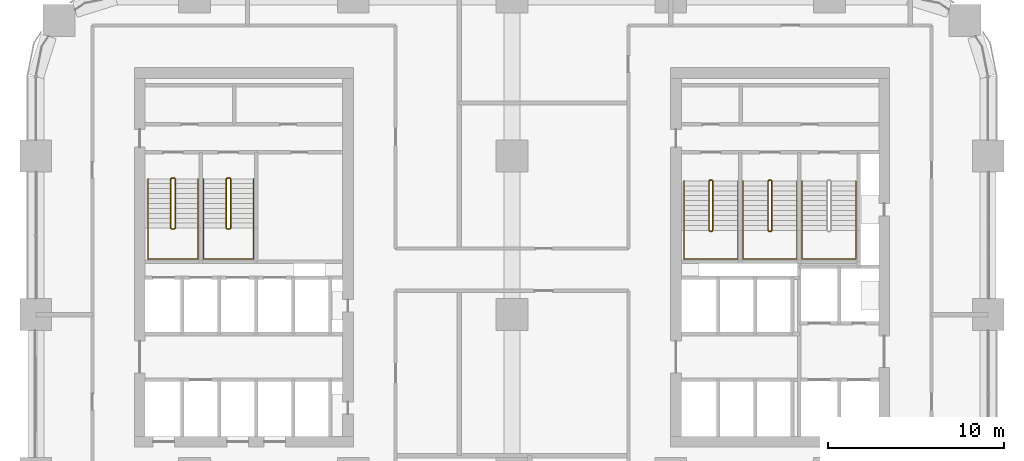
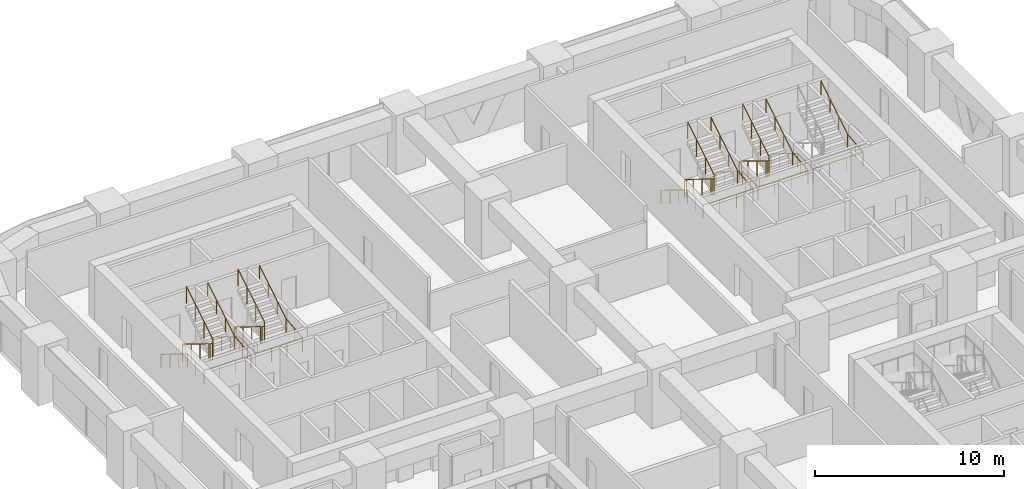
# One storey, part 23 of 24: 9 railings.
"""IFC4 building model written with IfcOpenShell, lengths in metres."""

from ifc_helpers import new_model, si_unit, direction, frame, origin, origin_2d, place, context, subcontext, project, spatial, circle, extrude, material, type_object, element, save


model = new_model("IFC4")

# Units and contexts
model_context = context("Model", 3, precision=1e-05, world=origin(), true_north=direction((0.0, 1.0)))
body_context = subcontext(model_context, "Body", "Model", "MODEL_VIEW")
ifc_project = project(units=[si_unit("LENGTHUNIT", "METRE"), si_unit("AREAUNIT", "SQUARE_METRE"), si_unit("VOLUMEUNIT", "CUBIC_METRE"), si_unit("PLANEANGLEUNIT", "RADIAN"), si_unit("MASSUNIT", "GRAM", prefix="KILO")], contexts=[model_context])

# Site, building, storey
site_placement = place(None, origin())
site = spatial("IfcSite", under=ifc_project, at=site_placement, CompositionType="ELEMENT")
building_placement = place(site_placement, origin())
building = spatial("IfcBuilding", under=site, at=building_placement, Name="Tessera Arch", CompositionType="ELEMENT")
storey_placement = place(building_placement, frame((0.0, 0.0, 38.60009765625)))
storey = spatial("IfcBuildingStorey", under=building, at=storey_placement, Name="L07", CompositionType="ELEMENT", Elevation=38.60009765625)

# Railings
ifc_material_1 = material(Name="Painted steel balustrade", Category="steel")
railing_type_1 = type_object("IfcRailingType", Name="Stair guard 1100", PredefinedType="GUARDRAIL", material=ifc_material_1)
railing_1_placement = place(storey_placement, frame((38.219970703125, 43.6298828125, 0.0)))
element("IfcRailing", 1, at=railing_1_placement, inside=storey, type_object=railing_type_1, Name="L07 S1a stair guard 1", PredefinedType="GUARDRAIL", context=body_context, shape_type="SweptSolid", body=[
    extrude(circle(Radius=0.02392578125, at=origin_2d()), frame((-0.00390625, 0.0, 1.076171875), z_axis=(1.0, 0.0, 0.0), x_axis=(0.0, 1.0, 0.0)), (0.0, 0.0, 1.0), 0.1181640625),
    extrude(circle(Radius=0.02392578125, at=origin_2d()), frame((0.11279296875, 0.000732421875, 1.0732421875), z_axis=(-0.665449600336, -0.206938595226, 0.717184249143), x_axis=(0.296948579431, -0.954893471113, 0.0)), (0.0, 0.0, 1.0), 0.248779296875),
    extrude(circle(Radius=0.02392578125, at=origin_2d()), frame((-0.050048828125, -0.04638671875, 1.24658203125), z_axis=(0.0, -0.851089632645, 0.525020415988), x_axis=(1.0, 0.0, 0.0)), (0.0, 0.0, 1.0), 3.2978515625),
    extrude(circle(Radius=0.02392578125, at=origin_2d()), frame((-0.052978515625, -2.846923828125, 2.97607421875), z_axis=(0.707106781187, -0.707106781187, 0.0), x_axis=(0.707106781187, 0.707106781187, 0.0)), (0.0, 0.0, 1.0), 0.078857421875),
    extrude(circle(Radius=0.02392578125, at=origin_2d()), frame((-0.00390625, -2.89990234375, 2.97607421875), z_axis=(1.0, 0.0, 0.0), x_axis=(0.0, 1.0, 0.0)), (0.0, 0.0, 1.0), 0.1181640625),
    extrude(circle(Radius=0.02392578125, at=origin_2d()), frame((0.109130859375, -2.90087890625, 2.97216796875), z_axis=(0.267062837333, 0.268371968888, 0.925556009775), x_axis=(-0.708833529934, 0.705375805398, 0.0)), (0.0, 0.0, 1.0), 0.194580078125),
    extrude(circle(Radius=0.02392578125, at=origin_2d()), frame((0.159912109375, -2.853271484375, 3.146484375), z_axis=(0.0, 0.851089632645, 0.525020415988), x_axis=(-1.0, 0.0, 0.0)), (0.0, 0.0, 1.0), 3.2978515625),
    extrude(circle(Radius=0.02099609375, at=origin_2d()), origin(), (0.0, 0.0, 1.0), 1.06396484375),
    extrude(circle(Radius=0.02099609375, at=origin_2d()), frame((0.110107421875, 0.0, 0.0)), (0.0, 0.0, 1.0), 1.06396484375),
    extrude(circle(Radius=0.02099609375, at=origin_2d()), frame((-0.050048828125, -0.0498046875, 0.172607421875)), (0.0, 0.0, 1.0), 1.06396484375),
    extrude(circle(Radius=0.02099609375, at=origin_2d()), frame((-0.050048828125, -0.983154296875, 0.748291015625)), (0.0, 0.0, 1.0), 1.06396484375),
    extrude(circle(Radius=0.02099609375, at=origin_2d()), frame((-0.050048828125, -1.91650390625, 1.32421875)), (0.0, 0.0, 1.0), 1.06396484375),
    extrude(circle(Radius=0.02099609375, at=origin_2d()), frame((-0.050048828125, -2.849853515625, 1.89990234375)), (0.0, 0.0, 1.0), 1.06396484375),
    extrude(circle(Radius=0.02099609375, at=origin_2d()), frame((0.0, -2.89990234375, 1.89990234375)), (0.0, 0.0, 1.0), 1.06396484375),
    extrude(circle(Radius=0.02099609375, at=origin_2d()), frame((0.110107421875, -2.89990234375, 1.89990234375)), (0.0, 0.0, 1.0), 1.06396484375),
    extrude(circle(Radius=0.02099609375, at=origin_2d()), frame((0.159912109375, -2.849853515625, 2.072509765625)), (0.0, 0.0, 1.0), 1.06396484375),
    extrude(circle(Radius=0.02099609375, at=origin_2d()), frame((0.159912109375, -1.91650390625, 2.648193359375)), (0.0, 0.0, 1.0), 1.06396484375),
    extrude(circle(Radius=0.02099609375, at=origin_2d()), frame((0.159912109375, -0.983154296875, 3.22412109375)), (0.0, 0.0, 1.0), 1.06396484375),
    extrude(circle(Radius=0.02099609375, at=origin_2d()), frame((0.159912109375, -0.0498046875, 3.7998046875)), (0.0, 0.0, 1.0), 1.06396484375),
])
railing_2_placement = place(storey_placement, frame((41.570068359375, 43.6298828125, 0.0)))
element("IfcRailing", 2, at=railing_2_placement, inside=storey, type_object=railing_type_1, Name="L07 S1b stair guard 1", PredefinedType="GUARDRAIL", context=body_context, shape_type="SweptSolid", body=[
    extrude(circle(Radius=0.02392578125, at=origin_2d()), frame((-0.00390625, 0.0, 1.076171875), z_axis=(1.0, 0.0, 0.0), x_axis=(0.0, 1.0, 0.0)), (0.0, 0.0, 1.0), 0.117919921875),
    extrude(circle(Radius=0.02392578125, at=origin_2d()), frame((0.112548828125, 0.000732421875, 1.0732421875), z_axis=(-0.664883824791, -0.207078321004, 0.717668494851), x_axis=(0.297361876254, -0.954764847777, 0.0)), (0.0, 0.0, 1.0), 0.24853515625),
    extrude(circle(Radius=0.02392578125, at=origin_2d()), frame((-0.050048828125, -0.04638671875, 1.24658203125), z_axis=(0.0, -0.851089632645, 0.525020415988), x_axis=(1.0, 0.0, 0.0)), (0.0, 0.0, 1.0), 3.2978515625),
    extrude(circle(Radius=0.02392578125, at=origin_2d()), frame((-0.052978515625, -2.846923828125, 2.97607421875), z_axis=(0.707106781187, -0.707106781187, 0.0), x_axis=(0.707106781187, 0.707106781187, 0.0)), (0.0, 0.0, 1.0), 0.078857421875),
    extrude(circle(Radius=0.02392578125, at=origin_2d()), frame((-0.00390625, -2.89990234375, 2.97607421875), z_axis=(1.0, 0.0, 0.0), x_axis=(0.0, 1.0, 0.0)), (0.0, 0.0, 1.0), 0.117919921875),
    extrude(circle(Radius=0.02392578125, at=origin_2d()), frame((0.10888671875, -2.90087890625, 2.97216796875), z_axis=(0.268277960024, 0.268277960024, 0.925231793839), x_axis=(-0.707106781187, 0.707106781187, 0.0)), (0.0, 0.0, 1.0), 0.194580078125),
    extrude(circle(Radius=0.02392578125, at=origin_2d()), frame((0.159912109375, -2.853271484375, 3.146484375), z_axis=(0.0, 0.851089632645, 0.525020415988), x_axis=(-1.0, 0.0, 0.0)), (0.0, 0.0, 1.0), 3.2978515625),
    extrude(circle(Radius=0.02099609375, at=origin_2d()), origin(), (0.0, 0.0, 1.0), 1.06396484375),
    extrude(circle(Radius=0.02099609375, at=origin_2d()), frame((0.10986328125, 0.0, 0.0)), (0.0, 0.0, 1.0), 1.06396484375),
    extrude(circle(Radius=0.02099609375, at=origin_2d()), frame((-0.050048828125, -0.0498046875, 0.172607421875)), (0.0, 0.0, 1.0), 1.06396484375),
    extrude(circle(Radius=0.02099609375, at=origin_2d()), frame((-0.050048828125, -0.983154296875, 0.748291015625)), (0.0, 0.0, 1.0), 1.06396484375),
    extrude(circle(Radius=0.02099609375, at=origin_2d()), frame((-0.050048828125, -1.91650390625, 1.32421875)), (0.0, 0.0, 1.0), 1.06396484375),
    extrude(circle(Radius=0.02099609375, at=origin_2d()), frame((-0.050048828125, -2.849853515625, 1.89990234375)), (0.0, 0.0, 1.0), 1.06396484375),
    extrude(circle(Radius=0.02099609375, at=origin_2d()), frame((0.0, -2.89990234375, 1.89990234375)), (0.0, 0.0, 1.0), 1.06396484375),
    extrude(circle(Radius=0.02099609375, at=origin_2d()), frame((0.10986328125, -2.89990234375, 1.89990234375)), (0.0, 0.0, 1.0), 1.06396484375),
    extrude(circle(Radius=0.02099609375, at=origin_2d()), frame((0.159912109375, -2.849853515625, 2.072509765625)), (0.0, 0.0, 1.0), 1.06396484375),
    extrude(circle(Radius=0.02099609375, at=origin_2d()), frame((0.159912109375, -1.91650390625, 2.648193359375)), (0.0, 0.0, 1.0), 1.06396484375),
    extrude(circle(Radius=0.02099609375, at=origin_2d()), frame((0.159912109375, -0.983154296875, 3.22412109375)), (0.0, 0.0, 1.0), 1.06396484375),
    extrude(circle(Radius=0.02099609375, at=origin_2d()), frame((0.159912109375, -0.0498046875, 3.7998046875)), (0.0, 0.0, 1.0), 1.06396484375),
])
railing_3_placement = place(storey_placement, frame((7.699951171875, 43.75, 0.0)))
element("IfcRailing", 3, at=railing_3_placement, inside=storey, type_object=railing_type_1, Name="L07 S2a stair guard 1", PredefinedType="GUARDRAIL", context=body_context, shape_type="SweptSolid", body=[
    extrude(circle(Radius=0.02392578125, at=origin_2d()), frame((-0.00390625, 0.0, 1.076171875), z_axis=(1.0, 0.0, 0.0), x_axis=(0.0, 1.0, 0.0)), (0.0, 0.0, 1.0), 0.158203125),
    extrude(circle(Radius=0.02392578125, at=origin_2d()), frame((0.153076171875, 0.000732421875, 1.073486328125), z_axis=(-0.744141464035, -0.186035366009, 0.641595140332), x_axis=(0.242535625036, -0.970142500145, 0.0)), (0.0, 0.0, 1.0), 0.277099609375),
    extrude(circle(Radius=0.02392578125, at=origin_2d()), frame((-0.050048828125, -0.046630859375, 1.24658203125), z_axis=(0.0, -0.851089632645, 0.525020415988), x_axis=(1.0, 0.0, 0.0)), (0.0, 0.0, 1.0), 3.2978515625),
    extrude(circle(Radius=0.02392578125, at=origin_2d()), frame((-0.052978515625, -2.84716796875, 2.97607421875), z_axis=(0.708833529934, -0.705375805398, 0.0), x_axis=(0.705375805398, 0.708833529934, 0.0)), (0.0, 0.0, 1.0), 0.07861328125),
    extrude(circle(Radius=0.02392578125, at=origin_2d()), frame((-0.00390625, -2.89990234375, 2.97607421875), z_axis=(1.0, 0.0, 0.0), x_axis=(0.0, 1.0, 0.0)), (0.0, 0.0, 1.0), 0.158203125),
    extrude(circle(Radius=0.02392578125, at=origin_2d()), frame((0.149169921875, -2.90087890625, 2.97216796875), z_axis=(0.26715648603, 0.26715648603, 0.925880566782), x_axis=(-0.707106781187, 0.707106781187, 0.0)), (0.0, 0.0, 1.0), 0.1943359375),
    extrude(circle(Radius=0.02392578125, at=origin_2d()), frame((0.199951171875, -2.853515625, 3.146484375), z_axis=(0.0, 0.851089632645, 0.525020415988), x_axis=(-1.0, 0.0, 0.0)), (0.0, 0.0, 1.0), 3.2978515625),
    extrude(circle(Radius=0.02099609375, at=origin_2d()), origin(), (0.0, 0.0, 1.0), 1.06396484375),
    extrude(circle(Radius=0.02099609375, at=origin_2d()), frame((0.150146484375, 0.0, 0.0)), (0.0, 0.0, 1.0), 1.06396484375),
    extrude(circle(Radius=0.02099609375, at=origin_2d()), frame((-0.050048828125, -0.050048828125, 0.172607421875)), (0.0, 0.0, 1.0), 1.06396484375),
    extrude(circle(Radius=0.02099609375, at=origin_2d()), frame((-0.050048828125, -0.9833984375, 0.748291015625)), (0.0, 0.0, 1.0), 1.06396484375),
    extrude(circle(Radius=0.02099609375, at=origin_2d()), frame((-0.050048828125, -1.916748046875, 1.32421875)), (0.0, 0.0, 1.0), 1.06396484375),
    extrude(circle(Radius=0.02099609375, at=origin_2d()), frame((-0.050048828125, -2.85009765625, 1.89990234375)), (0.0, 0.0, 1.0), 1.06396484375),
    extrude(circle(Radius=0.02099609375, at=origin_2d()), frame((0.0, -2.89990234375, 1.89990234375)), (0.0, 0.0, 1.0), 1.06396484375),
    extrude(circle(Radius=0.02099609375, at=origin_2d()), frame((0.150146484375, -2.89990234375, 1.89990234375)), (0.0, 0.0, 1.0), 1.06396484375),
    extrude(circle(Radius=0.02099609375, at=origin_2d()), frame((0.199951171875, -2.85009765625, 2.072509765625)), (0.0, 0.0, 1.0), 1.06396484375),
    extrude(circle(Radius=0.02099609375, at=origin_2d()), frame((0.199951171875, -1.916748046875, 2.648193359375)), (0.0, 0.0, 1.0), 1.06396484375),
    extrude(circle(Radius=0.02099609375, at=origin_2d()), frame((0.199951171875, -0.9833984375, 3.22412109375)), (0.0, 0.0, 1.0), 1.06396484375),
    extrude(circle(Radius=0.02099609375, at=origin_2d()), frame((0.199951171875, -0.050048828125, 3.7998046875)), (0.0, 0.0, 1.0), 1.06396484375),
])
railing_4_placement = place(storey_placement, frame((10.85009765625, 43.75, 0.0)))
element("IfcRailing", 4, at=railing_4_placement, inside=storey, type_object=railing_type_1, Name="L07 S2b stair guard 1", PredefinedType="GUARDRAIL", context=body_context, shape_type="SweptSolid", body=[
    extrude(circle(Radius=0.02392578125, at=origin_2d()), frame((-0.00390625, 0.0, 1.076171875), z_axis=(1.0, 0.0, 0.0), x_axis=(0.0, 1.0, 0.0)), (0.0, 0.0, 1.0), 0.157958984375),
    extrude(circle(Radius=0.02392578125, at=origin_2d()), frame((0.15283203125, 0.000732421875, 1.073486328125), z_axis=(-0.743736083135, -0.18616104645, 0.642028584587), x_axis=(0.242814311512, -0.970072785993, 0.0)), (0.0, 0.0, 1.0), 0.27685546875),
    extrude(circle(Radius=0.02392578125, at=origin_2d()), frame((-0.050048828125, -0.046630859375, 1.24658203125), z_axis=(0.0, -0.851089632645, 0.525020415988), x_axis=(1.0, 0.0, 0.0)), (0.0, 0.0, 1.0), 3.2978515625),
    extrude(circle(Radius=0.02392578125, at=origin_2d()), frame((-0.052978515625, -2.84716796875, 2.97607421875), z_axis=(0.708833529934, -0.705375805398, 0.0), x_axis=(0.705375805398, 0.708833529934, 0.0)), (0.0, 0.0, 1.0), 0.07861328125),
    extrude(circle(Radius=0.02392578125, at=origin_2d()), frame((-0.00390625, -2.89990234375, 2.97607421875), z_axis=(1.0, 0.0, 0.0), x_axis=(0.0, 1.0, 0.0)), (0.0, 0.0, 1.0), 0.157958984375),
    extrude(circle(Radius=0.02392578125, at=origin_2d()), frame((0.14892578125, -2.90087890625, 2.97216796875), z_axis=(0.268371968888, 0.267062837333, 0.925556009775), x_axis=(-0.705375805398, 0.708833529934, 0.0)), (0.0, 0.0, 1.0), 0.194580078125),
    extrude(circle(Radius=0.02392578125, at=origin_2d()), frame((0.199951171875, -2.853515625, 3.146484375), z_axis=(0.0, 0.851089632645, 0.525020415988), x_axis=(-1.0, 0.0, 0.0)), (0.0, 0.0, 1.0), 3.2978515625),
    extrude(circle(Radius=0.02099609375, at=origin_2d()), origin(), (0.0, 0.0, 1.0), 1.06396484375),
    extrude(circle(Radius=0.02099609375, at=origin_2d()), frame((0.14990234375, 0.0, 0.0)), (0.0, 0.0, 1.0), 1.06396484375),
    extrude(circle(Radius=0.02099609375, at=origin_2d()), frame((-0.050048828125, -0.050048828125, 0.172607421875)), (0.0, 0.0, 1.0), 1.06396484375),
    extrude(circle(Radius=0.02099609375, at=origin_2d()), frame((-0.050048828125, -0.9833984375, 0.748291015625)), (0.0, 0.0, 1.0), 1.06396484375),
    extrude(circle(Radius=0.02099609375, at=origin_2d()), frame((-0.050048828125, -1.916748046875, 1.32421875)), (0.0, 0.0, 1.0), 1.06396484375),
    extrude(circle(Radius=0.02099609375, at=origin_2d()), frame((-0.050048828125, -2.85009765625, 1.89990234375)), (0.0, 0.0, 1.0), 1.06396484375),
    extrude(circle(Radius=0.02099609375, at=origin_2d()), frame((0.0, -2.89990234375, 1.89990234375)), (0.0, 0.0, 1.0), 1.06396484375),
    extrude(circle(Radius=0.02099609375, at=origin_2d()), frame((0.14990234375, -2.89990234375, 1.89990234375)), (0.0, 0.0, 1.0), 1.06396484375),
    extrude(circle(Radius=0.02099609375, at=origin_2d()), frame((0.199951171875, -2.85009765625, 2.072509765625)), (0.0, 0.0, 1.0), 1.06396484375),
    extrude(circle(Radius=0.02099609375, at=origin_2d()), frame((0.199951171875, -1.916748046875, 2.648193359375)), (0.0, 0.0, 1.0), 1.06396484375),
    extrude(circle(Radius=0.02099609375, at=origin_2d()), frame((0.199951171875, -0.9833984375, 3.22412109375)), (0.0, 0.0, 1.0), 1.06396484375),
    extrude(circle(Radius=0.02099609375, at=origin_2d()), frame((0.199951171875, -0.050048828125, 3.7998046875)), (0.0, 0.0, 1.0), 1.06396484375),
])
ifc_material_2 = material(Name="Painted steel handrail", Category="steel")
railing_type_2 = type_object("IfcRailingType", Name="Stair handrail 900", PredefinedType="HANDRAIL", material=ifc_material_2)
railing_5_placement = place(storey_placement, frame((36.75, 43.580078125, 0.172607421875)))
element("IfcRailing", 5, at=railing_5_placement, inside=storey, type_object=railing_type_2, Name="L07 S1a stair handrail", PredefinedType="HANDRAIL", context=body_context, shape_type="SweptSolid", body=[
    extrude(circle(Radius=0.02392578125, at=origin_2d()), frame((0.0, 0.00341796875, 0.873779296875), z_axis=(0.0, -0.851089632645, 0.525020415988), x_axis=(1.0, 0.0, 0.0)), (0.0, 0.0, 1.0), 3.2978515625),
    extrude(circle(Radius=0.02392578125, at=origin_2d()), frame((0.0, -2.796142578125, 2.60302734375), z_axis=(0.0, -1.0, 0.0), x_axis=(1.0, 0.0, 0.0)), (0.0, 0.0, 1.0), 1.63818359375),
    extrude(circle(Radius=0.02392578125, at=origin_2d()), frame((-0.00390625, -4.43017578125, 2.60302734375), z_axis=(1.0, 0.0, 0.0), x_axis=(0.0, 1.0, 0.0)), (0.0, 0.0, 1.0), 3.05810546875),
    extrude(circle(Radius=0.02392578125, at=origin_2d()), frame((3.050048828125, -4.43408203125, 2.602783203125), z_axis=(0.0, 0.994440793715, 0.105297235459), x_axis=(-1.0, 0.0, 0.0)), (0.0, 0.0, 1.0), 1.647216796875),
    extrude(circle(Radius=0.02392578125, at=origin_2d()), frame((3.050048828125, -2.803466796875, 2.773681640625), z_axis=(0.0, 0.851089632645, 0.525020415988), x_axis=(-1.0, 0.0, 0.0)), (0.0, 0.0, 1.0), 3.2978515625),
    extrude(circle(Radius=0.02099609375, at=origin_2d()), origin(), (0.0, 0.0, 1.0), 0.86376953125),
    extrude(circle(Radius=0.02099609375, at=origin_2d()), frame((0.0, -0.933349609375, 0.57568359375)), (0.0, 0.0, 1.0), 0.86376953125),
    extrude(circle(Radius=0.02099609375, at=origin_2d()), frame((0.0, -1.86669921875, 1.151611328125)), (0.0, 0.0, 1.0), 0.86376953125),
    extrude(circle(Radius=0.02099609375, at=origin_2d()), frame((0.0, -2.800048828125, 1.727294921875)), (0.0, 0.0, 1.0), 0.86376953125),
    extrude(circle(Radius=0.02099609375, at=origin_2d()), frame((0.0, -3.615234375, 1.727294921875)), (0.0, 0.0, 1.0), 0.86376953125),
    extrude(circle(Radius=0.02099609375, at=origin_2d()), frame((0.0, -4.43017578125, 1.727294921875)), (0.0, 0.0, 1.0), 0.86376953125),
    extrude(circle(Radius=0.02099609375, at=origin_2d()), frame((1.0166015625, -4.43017578125, 1.727294921875)), (0.0, 0.0, 1.0), 0.86376953125),
    extrude(circle(Radius=0.02099609375, at=origin_2d()), frame((2.033447265625, -4.43017578125, 1.727294921875)), (0.0, 0.0, 1.0), 0.86376953125),
    extrude(circle(Radius=0.02099609375, at=origin_2d()), frame((3.050048828125, -4.43017578125, 1.727294921875)), (0.0, 0.0, 1.0), 0.86376953125),
    extrude(circle(Radius=0.02099609375, at=origin_2d()), frame((3.050048828125, -3.615234375, 1.8134765625)), (0.0, 0.0, 1.0), 0.86376953125),
    extrude(circle(Radius=0.02099609375, at=origin_2d()), frame((3.050048828125, -2.800048828125, 1.89990234375)), (0.0, 0.0, 1.0), 0.86376953125),
    extrude(circle(Radius=0.02099609375, at=origin_2d()), frame((3.050048828125, -1.86669921875, 2.4755859375)), (0.0, 0.0, 1.0), 0.86376953125),
    extrude(circle(Radius=0.02099609375, at=origin_2d()), frame((3.050048828125, -0.933349609375, 3.051513671875)), (0.0, 0.0, 1.0), 0.86376953125),
    extrude(circle(Radius=0.02099609375, at=origin_2d()), frame((3.050048828125, 0.0, 3.627197265625)), (0.0, 0.0, 1.0), 0.86376953125),
])
railing_6_placement = place(storey_placement, frame((40.10009765625, 43.580078125, 0.172607421875)))
element("IfcRailing", 6, at=railing_6_placement, inside=storey, type_object=railing_type_2, Name="L07 S1b stair handrail", PredefinedType="HANDRAIL", context=body_context, shape_type="SweptSolid", body=[
    extrude(circle(Radius=0.02392578125, at=origin_2d()), frame((0.0, 0.00341796875, 0.873779296875), z_axis=(0.0, -0.851089632645, 0.525020415988), x_axis=(1.0, 0.0, 0.0)), (0.0, 0.0, 1.0), 3.2978515625),
    extrude(circle(Radius=0.02392578125, at=origin_2d()), frame((0.0, -2.796142578125, 2.60302734375), z_axis=(0.0, -1.0, 0.0), x_axis=(1.0, 0.0, 0.0)), (0.0, 0.0, 1.0), 1.63818359375),
    extrude(circle(Radius=0.02392578125, at=origin_2d()), frame((-0.00390625, -4.43017578125, 2.60302734375), z_axis=(1.0, 0.0, 0.0), x_axis=(0.0, 1.0, 0.0)), (0.0, 0.0, 1.0), 3.057861328125),
    extrude(circle(Radius=0.02392578125, at=origin_2d()), frame((3.0498046875, -4.43408203125, 2.602783203125), z_axis=(0.0, 0.994440793715, 0.105297235459), x_axis=(-1.0, 0.0, 0.0)), (0.0, 0.0, 1.0), 1.647216796875),
    extrude(circle(Radius=0.02392578125, at=origin_2d()), frame((3.0498046875, -2.803466796875, 2.773681640625), z_axis=(0.0, 0.851089632645, 0.525020415988), x_axis=(-1.0, 0.0, 0.0)), (0.0, 0.0, 1.0), 3.2978515625),
    extrude(circle(Radius=0.02099609375, at=origin_2d()), origin(), (0.0, 0.0, 1.0), 0.86376953125),
    extrude(circle(Radius=0.02099609375, at=origin_2d()), frame((0.0, -0.933349609375, 0.57568359375)), (0.0, 0.0, 1.0), 0.86376953125),
    extrude(circle(Radius=0.02099609375, at=origin_2d()), frame((0.0, -1.86669921875, 1.151611328125)), (0.0, 0.0, 1.0), 0.86376953125),
    extrude(circle(Radius=0.02099609375, at=origin_2d()), frame((0.0, -2.800048828125, 1.727294921875)), (0.0, 0.0, 1.0), 0.86376953125),
    extrude(circle(Radius=0.02099609375, at=origin_2d()), frame((0.0, -3.615234375, 1.727294921875)), (0.0, 0.0, 1.0), 0.86376953125),
    extrude(circle(Radius=0.02099609375, at=origin_2d()), frame((0.0, -4.43017578125, 1.727294921875)), (0.0, 0.0, 1.0), 0.86376953125),
    extrude(circle(Radius=0.02099609375, at=origin_2d()), frame((1.0166015625, -4.43017578125, 1.727294921875)), (0.0, 0.0, 1.0), 0.86376953125),
    extrude(circle(Radius=0.02099609375, at=origin_2d()), frame((2.033203125, -4.43017578125, 1.727294921875)), (0.0, 0.0, 1.0), 0.86376953125),
    extrude(circle(Radius=0.02099609375, at=origin_2d()), frame((3.0498046875, -4.43017578125, 1.727294921875)), (0.0, 0.0, 1.0), 0.86376953125),
    extrude(circle(Radius=0.02099609375, at=origin_2d()), frame((3.0498046875, -3.615234375, 1.8134765625)), (0.0, 0.0, 1.0), 0.86376953125),
    extrude(circle(Radius=0.02099609375, at=origin_2d()), frame((3.0498046875, -2.800048828125, 1.89990234375)), (0.0, 0.0, 1.0), 0.86376953125),
    extrude(circle(Radius=0.02099609375, at=origin_2d()), frame((3.0498046875, -1.86669921875, 2.4755859375)), (0.0, 0.0, 1.0), 0.86376953125),
    extrude(circle(Radius=0.02099609375, at=origin_2d()), frame((3.0498046875, -0.933349609375, 3.051513671875)), (0.0, 0.0, 1.0), 0.86376953125),
    extrude(circle(Radius=0.02099609375, at=origin_2d()), frame((3.0498046875, 0.0, 3.627197265625)), (0.0, 0.0, 1.0), 0.86376953125),
])
railing_7_placement = place(storey_placement, frame((43.449951171875, 43.580078125, 0.172607421875)))
element("IfcRailing", 7, at=railing_7_placement, inside=storey, type_object=railing_type_2, Name="L07 S1c stair handrail", PredefinedType="HANDRAIL", context=body_context, shape_type="SweptSolid", body=[
    extrude(circle(Radius=0.02392578125, at=origin_2d()), frame((0.0, 0.00341796875, 0.873779296875), z_axis=(0.0, -0.851089632645, 0.525020415988), x_axis=(1.0, 0.0, 0.0)), (0.0, 0.0, 1.0), 3.2978515625),
    extrude(circle(Radius=0.02392578125, at=origin_2d()), frame((0.0, -2.796142578125, 2.60302734375), z_axis=(0.0, -1.0, 0.0), x_axis=(1.0, 0.0, 0.0)), (0.0, 0.0, 1.0), 1.63818359375),
    extrude(circle(Radius=0.02392578125, at=origin_2d()), frame((-0.00390625, -4.43017578125, 2.60302734375), z_axis=(1.0, 0.0, 0.0), x_axis=(0.0, 1.0, 0.0)), (0.0, 0.0, 1.0), 3.05810546875),
    extrude(circle(Radius=0.02392578125, at=origin_2d()), frame((3.050048828125, -4.43408203125, 2.602783203125), z_axis=(0.0, 0.994440793715, 0.105297235459), x_axis=(-1.0, 0.0, 0.0)), (0.0, 0.0, 1.0), 1.647216796875),
    extrude(circle(Radius=0.02392578125, at=origin_2d()), frame((3.050048828125, -2.803466796875, 2.773681640625), z_axis=(0.0, 0.851089632645, 0.525020415988), x_axis=(-1.0, 0.0, 0.0)), (0.0, 0.0, 1.0), 3.2978515625),
    extrude(circle(Radius=0.02099609375, at=origin_2d()), origin(), (0.0, 0.0, 1.0), 0.86376953125),
    extrude(circle(Radius=0.02099609375, at=origin_2d()), frame((0.0, -0.933349609375, 0.57568359375)), (0.0, 0.0, 1.0), 0.86376953125),
    extrude(circle(Radius=0.02099609375, at=origin_2d()), frame((0.0, -1.86669921875, 1.151611328125)), (0.0, 0.0, 1.0), 0.86376953125),
    extrude(circle(Radius=0.02099609375, at=origin_2d()), frame((0.0, -2.800048828125, 1.727294921875)), (0.0, 0.0, 1.0), 0.86376953125),
    extrude(circle(Radius=0.02099609375, at=origin_2d()), frame((0.0, -3.615234375, 1.727294921875)), (0.0, 0.0, 1.0), 0.86376953125),
    extrude(circle(Radius=0.02099609375, at=origin_2d()), frame((0.0, -4.43017578125, 1.727294921875)), (0.0, 0.0, 1.0), 0.86376953125),
    extrude(circle(Radius=0.02099609375, at=origin_2d()), frame((1.0166015625, -4.43017578125, 1.727294921875)), (0.0, 0.0, 1.0), 0.86376953125),
    extrude(circle(Radius=0.02099609375, at=origin_2d()), frame((2.033447265625, -4.43017578125, 1.727294921875)), (0.0, 0.0, 1.0), 0.86376953125),
    extrude(circle(Radius=0.02099609375, at=origin_2d()), frame((3.050048828125, -4.43017578125, 1.727294921875)), (0.0, 0.0, 1.0), 0.86376953125),
    extrude(circle(Radius=0.02099609375, at=origin_2d()), frame((3.050048828125, -3.615234375, 1.8134765625)), (0.0, 0.0, 1.0), 0.86376953125),
    extrude(circle(Radius=0.02099609375, at=origin_2d()), frame((3.050048828125, -2.800048828125, 1.89990234375)), (0.0, 0.0, 1.0), 0.86376953125),
    extrude(circle(Radius=0.02099609375, at=origin_2d()), frame((3.050048828125, -1.86669921875, 2.4755859375)), (0.0, 0.0, 1.0), 0.86376953125),
    extrude(circle(Radius=0.02099609375, at=origin_2d()), frame((3.050048828125, -0.933349609375, 3.051513671875)), (0.0, 0.0, 1.0), 0.86376953125),
    extrude(circle(Radius=0.02099609375, at=origin_2d()), frame((3.050048828125, 0.0, 3.627197265625)), (0.0, 0.0, 1.0), 0.86376953125),
])
railing_8_placement = place(storey_placement, frame((6.35009765625, 43.699951171875, 0.172607421875)))
element("IfcRailing", 8, at=railing_8_placement, inside=storey, type_object=railing_type_2, Name="L07 S2a stair handrail", PredefinedType="HANDRAIL", context=body_context, shape_type="SweptSolid", body=[
    extrude(circle(Radius=0.02392578125, at=origin_2d()), frame((0.0, 0.00341796875, 0.873779296875), z_axis=(0.0, -0.851089632645, 0.525020415988), x_axis=(1.0, 0.0, 0.0)), (0.0, 0.0, 1.0), 3.2978515625),
    extrude(circle(Radius=0.02392578125, at=origin_2d()), frame((0.0, -2.796142578125, 2.60302734375), z_axis=(0.0, -1.0, 0.0), x_axis=(1.0, 0.0, 0.0)), (0.0, 0.0, 1.0), 1.758056640625),
    extrude(circle(Radius=0.02392578125, at=origin_2d()), frame((-0.00390625, -4.550048828125, 2.60302734375), z_axis=(1.0, 0.0, 0.0), x_axis=(0.0, 1.0, 0.0)), (0.0, 0.0, 1.0), 2.85791015625),
    extrude(circle(Radius=0.02392578125, at=origin_2d()), frame((2.849853515625, -4.553955078125, 2.602783203125), z_axis=(0.0, 0.995170989745, 0.098156513637), x_axis=(-1.0, 0.0, 0.0)), (0.0, 0.0, 1.0), 1.7666015625),
    extrude(circle(Radius=0.02392578125, at=origin_2d()), frame((2.849853515625, -2.803466796875, 2.773681640625), z_axis=(0.0, 0.851089632645, 0.525020415988), x_axis=(-1.0, 0.0, 0.0)), (0.0, 0.0, 1.0), 3.2978515625),
    extrude(circle(Radius=0.02099609375, at=origin_2d()), origin(), (0.0, 0.0, 1.0), 0.86376953125),
    extrude(circle(Radius=0.02099609375, at=origin_2d()), frame((0.0, -0.933349609375, 0.57568359375)), (0.0, 0.0, 1.0), 0.86376953125),
    extrude(circle(Radius=0.02099609375, at=origin_2d()), frame((0.0, -1.86669921875, 1.151611328125)), (0.0, 0.0, 1.0), 0.86376953125),
    extrude(circle(Radius=0.02099609375, at=origin_2d()), frame((0.0, -2.800048828125, 1.727294921875)), (0.0, 0.0, 1.0), 0.86376953125),
    extrude(circle(Radius=0.02099609375, at=origin_2d()), frame((0.0, -3.675048828125, 1.727294921875)), (0.0, 0.0, 1.0), 0.86376953125),
    extrude(circle(Radius=0.02099609375, at=origin_2d()), frame((0.0, -4.550048828125, 1.727294921875)), (0.0, 0.0, 1.0), 0.86376953125),
    extrude(circle(Radius=0.02099609375, at=origin_2d()), frame((0.949951171875, -4.550048828125, 1.727294921875)), (0.0, 0.0, 1.0), 0.86376953125),
    extrude(circle(Radius=0.02099609375, at=origin_2d()), frame((1.89990234375, -4.550048828125, 1.727294921875)), (0.0, 0.0, 1.0), 0.86376953125),
    extrude(circle(Radius=0.02099609375, at=origin_2d()), frame((2.849853515625, -4.550048828125, 1.727294921875)), (0.0, 0.0, 1.0), 0.86376953125),
    extrude(circle(Radius=0.02099609375, at=origin_2d()), frame((2.849853515625, -3.675048828125, 1.8134765625)), (0.0, 0.0, 1.0), 0.86376953125),
    extrude(circle(Radius=0.02099609375, at=origin_2d()), frame((2.849853515625, -2.800048828125, 1.89990234375)), (0.0, 0.0, 1.0), 0.86376953125),
    extrude(circle(Radius=0.02099609375, at=origin_2d()), frame((2.849853515625, -1.86669921875, 2.4755859375)), (0.0, 0.0, 1.0), 0.86376953125),
    extrude(circle(Radius=0.02099609375, at=origin_2d()), frame((2.849853515625, -0.933349609375, 3.051513671875)), (0.0, 0.0, 1.0), 0.86376953125),
    extrude(circle(Radius=0.02099609375, at=origin_2d()), frame((2.849853515625, 0.0, 3.627197265625)), (0.0, 0.0, 1.0), 0.86376953125),
])
railing_9_placement = place(storey_placement, frame((9.5, 43.699951171875, 0.172607421875)))
element("IfcRailing", 9, at=railing_9_placement, inside=storey, type_object=railing_type_2, Name="L07 S2b stair handrail", PredefinedType="HANDRAIL", context=body_context, shape_type="SweptSolid", body=[
    extrude(circle(Radius=0.02392578125, at=origin_2d()), frame((0.0, 0.00341796875, 0.873779296875), z_axis=(0.0, -0.851089632645, 0.525020415988), x_axis=(1.0, 0.0, 0.0)), (0.0, 0.0, 1.0), 3.2978515625),
    extrude(circle(Radius=0.02392578125, at=origin_2d()), frame((0.0, -2.796142578125, 2.60302734375), z_axis=(0.0, -1.0, 0.0), x_axis=(1.0, 0.0, 0.0)), (0.0, 0.0, 1.0), 1.758056640625),
    extrude(circle(Radius=0.02392578125, at=origin_2d()), frame((-0.00390625, -4.550048828125, 2.60302734375), z_axis=(1.0, 0.0, 0.0), x_axis=(0.0, 1.0, 0.0)), (0.0, 0.0, 1.0), 2.858154296875),
    extrude(circle(Radius=0.02392578125, at=origin_2d()), frame((2.85009765625, -4.553955078125, 2.602783203125), z_axis=(0.0, 0.995170989745, 0.098156513637), x_axis=(-1.0, 0.0, 0.0)), (0.0, 0.0, 1.0), 1.7666015625),
    extrude(circle(Radius=0.02392578125, at=origin_2d()), frame((2.85009765625, -2.803466796875, 2.773681640625), z_axis=(0.0, 0.851089632645, 0.525020415988), x_axis=(-1.0, 0.0, 0.0)), (0.0, 0.0, 1.0), 3.2978515625),
    extrude(circle(Radius=0.02099609375, at=origin_2d()), origin(), (0.0, 0.0, 1.0), 0.86376953125),
    extrude(circle(Radius=0.02099609375, at=origin_2d()), frame((0.0, -0.933349609375, 0.57568359375)), (0.0, 0.0, 1.0), 0.86376953125),
    extrude(circle(Radius=0.02099609375, at=origin_2d()), frame((0.0, -1.86669921875, 1.151611328125)), (0.0, 0.0, 1.0), 0.86376953125),
    extrude(circle(Radius=0.02099609375, at=origin_2d()), frame((0.0, -2.800048828125, 1.727294921875)), (0.0, 0.0, 1.0), 0.86376953125),
    extrude(circle(Radius=0.02099609375, at=origin_2d()), frame((0.0, -3.675048828125, 1.727294921875)), (0.0, 0.0, 1.0), 0.86376953125),
    extrude(circle(Radius=0.02099609375, at=origin_2d()), frame((0.0, -4.550048828125, 1.727294921875)), (0.0, 0.0, 1.0), 0.86376953125),
    extrude(circle(Radius=0.02099609375, at=origin_2d()), frame((0.949951171875, -4.550048828125, 1.727294921875)), (0.0, 0.0, 1.0), 0.86376953125),
    extrude(circle(Radius=0.02099609375, at=origin_2d()), frame((1.900146484375, -4.550048828125, 1.727294921875)), (0.0, 0.0, 1.0), 0.86376953125),
    extrude(circle(Radius=0.02099609375, at=origin_2d()), frame((2.85009765625, -4.550048828125, 1.727294921875)), (0.0, 0.0, 1.0), 0.86376953125),
    extrude(circle(Radius=0.02099609375, at=origin_2d()), frame((2.85009765625, -3.675048828125, 1.8134765625)), (0.0, 0.0, 1.0), 0.86376953125),
    extrude(circle(Radius=0.02099609375, at=origin_2d()), frame((2.85009765625, -2.800048828125, 1.89990234375)), (0.0, 0.0, 1.0), 0.86376953125),
    extrude(circle(Radius=0.02099609375, at=origin_2d()), frame((2.85009765625, -1.86669921875, 2.4755859375)), (0.0, 0.0, 1.0), 0.86376953125),
    extrude(circle(Radius=0.02099609375, at=origin_2d()), frame((2.85009765625, -0.933349609375, 3.051513671875)), (0.0, 0.0, 1.0), 0.86376953125),
    extrude(circle(Radius=0.02099609375, at=origin_2d()), frame((2.85009765625, 0.0, 3.627197265625)), (0.0, 0.0, 1.0), 0.86376953125),
])

save(model, "model.ifc")
